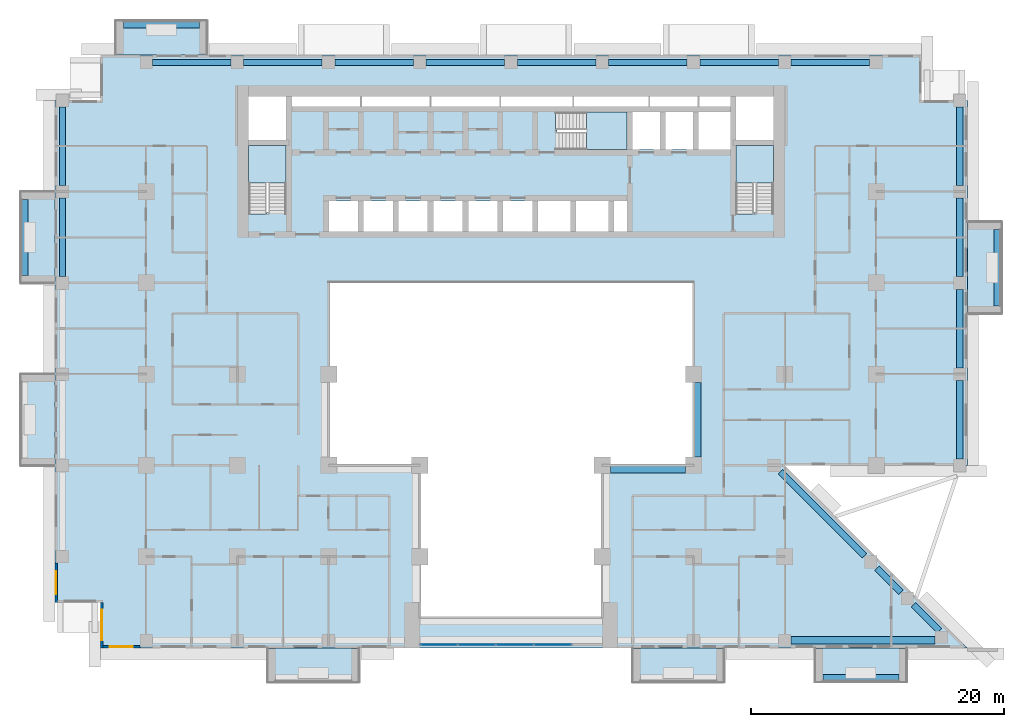
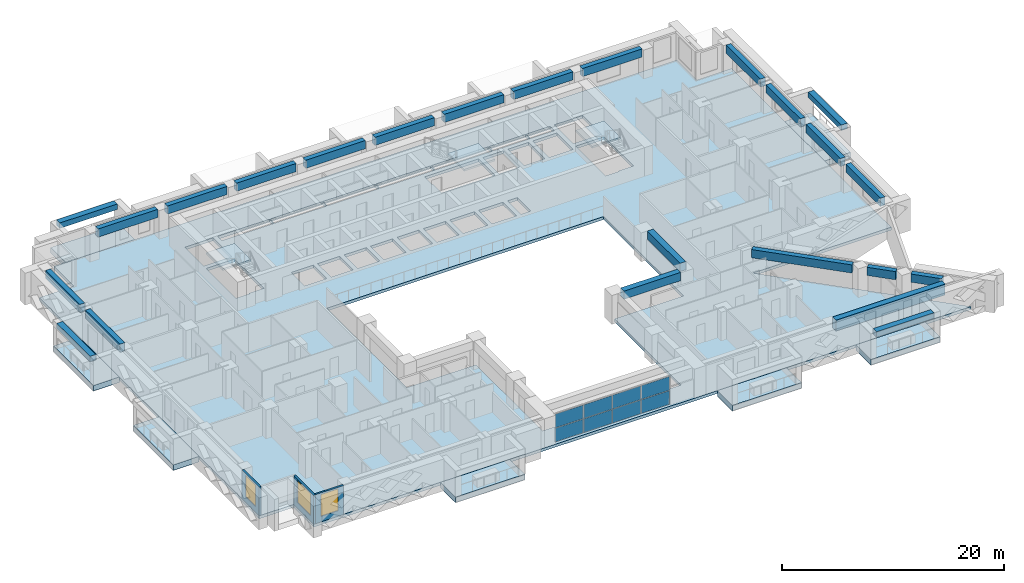
# One storey, part 5 of 17: 24 beams, 11 slabs, 8 plates, 3 walls, 3 windows, 3 openings, 4 elements without a shape of their own.
"""IFC4 building model written with IfcOpenShell, lengths in metres."""

from ifc_helpers import new_model, si_unit, direction, frame, frame_2d, origin, origin_2d, place, context, subcontext, project, spatial, polyline, rectangle, outline, extrude, source, transform, mapped, material, layer, layer_set, material_profile, profile_set, type_object, element, fill, aggregate, save


model = new_model("IFC4")

# Units and contexts
model_context = context("Model", 3, precision=1e-05, world=origin(), true_north=direction((0.0, 1.0)))
body_context = subcontext(model_context, "Body", "Model", "MODEL_VIEW")
ifc_project = project(units=[si_unit("LENGTHUNIT", "METRE"), si_unit("AREAUNIT", "SQUARE_METRE"), si_unit("VOLUMEUNIT", "CUBIC_METRE"), si_unit("PLANEANGLEUNIT", "RADIAN"), si_unit("MASSUNIT", "GRAM", prefix="KILO")], contexts=[model_context])

# Site, building, storey
site_placement = place(None, origin())
site = spatial("IfcSite", under=ifc_project, at=site_placement, CompositionType="ELEMENT")
building_placement = place(site_placement, origin())
building = spatial("IfcBuilding", under=site, at=building_placement, Name="Saffron Iwan Residences", CompositionType="ELEMENT")
storey_placement = place(building_placement, frame((0.0, 0.0, 79.5)))
storey = spatial("IfcBuildingStorey", under=building, at=storey_placement, Name="L20", CompositionType="ELEMENT", Elevation=79.5)

# Beams
ifc_material_1 = material(Name="Concrete C60/75", Category="concrete")
ifc_material_profile_1 = material_profile(ifc_material_1, rectangle(XDim=0.5, YDim=0.89990234375, at=origin_2d()), Name="RC 500x900")
ifc_profile_set_1 = profile_set([ifc_material_profile_1], Name="Concrete C60/75")
beam_type_1 = type_object("IfcBeamType", Name="SPANDREL BEAM RC 500x900 C60/75 TOP 3180", PredefinedType="SPANDREL", material=ifc_profile_set_1)
shared_shape_1 = source(origin(), body_context, "Body", "SweptSolid", [
    extrude(rectangle(XDim=0.5, YDim=0.89990234375, at=origin_2d()), origin(), (0.0, 0.0, 1.0), 6.199951171875),
])
for number, where, z_axis, x_axis, name in (
    (1, (85.800048828125, 54.699951171875, 2.72998046875), (0.0, -1.0, 0.0), (1.0, 0.0, 0.0), "Spandrel beam"),
    (2, (85.800048828125, 61.89990234375, 2.72998046875), (0.0, -1.0, 0.0), (1.0, 0.0, 0.0), "Spandrel beam"),
    (3, (15.0, 70.10009765625, 2.72998046875), (0.0, 1.0, 0.0), (-1.0, 0.0, 0.0), "Spandrel beam"),
    (4, (85.800048828125, 76.300048828125, 2.72998046875), (0.0, -1.0, 0.0), (1.0, 0.0, 0.0), "Spandrel beam"),
    (5, (22.10009765625, 79.800048828125, 2.72998046875), (1.0, 0.0, 0.0), (0.0, 1.0, 0.0), "Spandrel beam"),
    (6, (29.300048828125, 79.800048828125, 2.72998046875), (1.0, 0.0, 0.0), (0.0, 1.0, 0.0), "Spandrel beam"),
    (7, (36.5, 79.800048828125, 2.72998046875), (1.0, 0.0, 0.0), (0.0, 1.0, 0.0), "Spandrel beam"),
    (8, (43.699951171875, 79.800048828125, 2.72998046875), (1.0, 0.0, 0.0), (0.0, 1.0, 0.0), "Spandrel beam"),
    (9, (58.10009765625, 79.800048828125, 2.72998046875), (1.0, 0.0, 0.0), (0.0, 1.0, 0.0), "Spandrel beam"),
    (10, (65.300048828125, 79.800048828125, 2.72998046875), (1.0, 0.0, 0.0), (0.0, 1.0, 0.0), "Spandrel beam"),
    (11, (72.5, 79.800048828125, 2.72998046875), (1.0, 0.0, 0.0), (0.0, 1.0, 0.0), "Spandrel beam"),
):
    element("IfcBeam", number, at=place(storey_placement, frame(where, z_axis=z_axis, x_axis=x_axis)), inside=storey, type_object=beam_type_1, Name=name, PredefinedType="SPANDREL", context=body_context, shape_type="MappedRepresentation", body=[
        mapped(shared_shape_1, transform((0.0, 0.0, 0.0))),
    ])
shared_shape_2 = source(origin(), body_context, "Body", "SweptSolid", [
    extrude(rectangle(XDim=0.5, YDim=0.89990234375, at=origin_2d()), origin(), (0.0, 0.0, 1.0), 2.90478515625),
])
beam_1_placement = place(storey_placement, frame((82.15576171875, 36.995849609375, 2.72998046875), z_axis=(0.707106781187, -0.707106781187, 0.0), x_axis=(0.707106781187, 0.707106781187, 0.0)))
element("IfcBeam", 12, at=beam_1_placement, inside=storey, type_object=beam_type_1, Name="Spandrel beam", PredefinedType="SPANDREL", context=body_context, shape_type="MappedRepresentation", body=[
    mapped(shared_shape_2, transform((0.0, 0.0, 0.0))),
])
shared_shape_3 = source(origin(), body_context, "Body", "SweptSolid", [
    extrude(rectangle(XDim=0.5, YDim=0.89990234375, at=origin_2d()), origin(), (0.0, 0.0, 1.0), 2.658935546875),
])
beam_2_placement = place(storey_placement, frame((79.275634765625, 39.875732421875, 2.72998046875), z_axis=(0.707106781187, -0.707106781187, 0.0), x_axis=(0.707106781187, 0.707106781187, 0.0)))
element("IfcBeam", 13, at=beam_2_placement, inside=storey, type_object=beam_type_1, Name="Spandrel beam", PredefinedType="SPANDREL", context=body_context, shape_type="MappedRepresentation", body=[
    mapped(shared_shape_3, transform((0.0, 0.0, 0.0))),
])
shared_shape_4 = source(origin(), body_context, "Body", "SweptSolid", [
    extrude(rectangle(XDim=0.5, YDim=0.89990234375, at=origin_2d()), origin(), (0.0, 0.0, 1.0), 9.370361328125),
])
beam_3_placement = place(storey_placement, frame((71.64990234375, 47.50146484375, 2.72998046875), z_axis=(0.707119808329, -0.707093753804, 0.0), x_axis=(0.707093753804, 0.707119808329, 0.0)))
element("IfcBeam", 14, at=beam_3_placement, inside=storey, type_object=beam_type_1, Name="Spandrel beam", PredefinedType="SPANDREL", context=body_context, shape_type="MappedRepresentation", body=[
    mapped(shared_shape_4, transform((0.0, 0.0, 0.0))),
])
shared_shape_5 = source(origin(), body_context, "Body", "SweptSolid", [
    extrude(rectangle(XDim=0.5, YDim=0.89990234375, at=origin_2d()), origin(), (0.0, 0.0, 1.0), 6.2001953125),
])
for number, where, z_axis, x_axis, name in (
    (15, (15.0, 62.89990234375, 2.72998046875), (0.0, 1.0, 0.0), (-1.0, 0.0, 0.0), "Spandrel beam"),
    (16, (85.800048828125, 69.10009765625, 2.72998046875), (0.0, -1.0, 0.0), (1.0, 0.0, 0.0), "Spandrel beam"),
    (17, (50.89990234375, 79.800048828125, 2.72998046875), (1.0, 0.0, 0.0), (0.0, 1.0, 0.0), "Spandrel beam"),
):
    element("IfcBeam", number, at=place(storey_placement, frame(where, z_axis=z_axis, x_axis=x_axis)), inside=storey, type_object=beam_type_1, Name=name, PredefinedType="SPANDREL", context=body_context, shape_type="MappedRepresentation", body=[
        mapped(shared_shape_5, transform((0.0, 0.0, 0.0))),
    ])
ifc_material_profile_2 = material_profile(ifc_material_1, rectangle(XDim=0.60009765625, YDim=1.199951171875, at=origin_2d()), Name="RC 600x1200")
ifc_profile_set_2 = profile_set([ifc_material_profile_2], Name="Concrete C60/75")
beam_type_2 = type_object("IfcBeamType", Name="LINTEL BEAM RC 600x1200 C60/75 TOP 3180", PredefinedType="LINTEL", material=ifc_profile_set_2)
shared_shape_6 = source(origin(), body_context, "Body", "SweptSolid", [
    extrude(rectangle(XDim=0.60009765625, YDim=1.199951171875, at=origin_2d()), origin(), (0.0, 0.0, 1.0), 11.367431640625),
])
beam_4_placement = place(storey_placement, frame((83.867431640625, 34.199951171875, 2.580078125), z_axis=(-1.0, 0.0, 0.0), x_axis=(0.0, -1.0, 0.0)))
element("IfcBeam", 18, at=beam_4_placement, inside=storey, type_object=beam_type_2, Name="Lintel beam over the iwan", PredefinedType="LINTEL", context=body_context, shape_type="MappedRepresentation", body=[
    mapped(shared_shape_6, transform((0.0, 0.0, 0.0))),
])
ifc_material_profile_3 = material_profile(ifc_material_1, rectangle(XDim=0.60009765625, YDim=0.89990234375, at=origin_2d()), Name="RC 600x900")
ifc_profile_set_3 = profile_set([ifc_material_profile_3], Name="Concrete C60/75")
beam_type_3 = type_object("IfcBeamType", Name="BEAM RC 600x900 C60/75 TOP 3180", PredefinedType="BEAM", material=ifc_profile_set_3)
shared_shape_7 = source(origin(), body_context, "Body", "SweptSolid", [
    extrude(rectangle(XDim=0.60009765625, YDim=0.89990234375, at=origin_2d()), origin(), (0.0, 0.0, 1.0), 5.900146484375),
])
beam_5_placement = place(storey_placement, frame((65.10009765625, 54.550048828125, 2.72998046875), z_axis=(0.0, -1.0, 0.0), x_axis=(1.0, 0.0, 0.0)))
element("IfcBeam", 19, at=beam_5_placement, inside=storey, type_object=beam_type_3, Name="Atrium edge beam", PredefinedType="BEAM", context=body_context, shape_type="MappedRepresentation", body=[
    mapped(shared_shape_7, transform((0.0, 0.0, 0.0))),
])
shared_shape_8 = source(origin(), body_context, "Body", "SweptSolid", [
    extrude(rectangle(XDim=0.60009765625, YDim=0.89990234375, at=origin_2d()), origin(), (0.0, 0.0, 1.0), 5.89990234375),
])
beam_6_placement = place(storey_placement, frame((64.14990234375, 47.699951171875, 2.72998046875), z_axis=(-1.0, 0.0, 0.0), x_axis=(0.0, -1.0, 0.0)))
element("IfcBeam", 20, at=beam_6_placement, inside=storey, type_object=beam_type_3, Name="Atrium edge beam", PredefinedType="BEAM", context=body_context, shape_type="MappedRepresentation", body=[
    mapped(shared_shape_8, transform((0.0, 0.0, 0.0))),
])
ifc_material_2 = material(Name="Concrete C50/60 white painted", Category="concrete")
ifc_material_profile_4 = material_profile(ifc_material_2, rectangle(XDim=0.60009765625, YDim=0.60009765625, at=origin_2d()), Name="BALCONY FASCIA BEAM 600 x 600")
ifc_profile_set_4 = profile_set([ifc_material_profile_4], Name="Concrete C50/60 white painted")
beam_type_4 = type_object("IfcBeamType", Name="BALCONY FASCIA BEAM 600 x 600", PredefinedType="BEAM", material=ifc_profile_set_4)
shared_shape_9 = source(origin(), body_context, "Body", "SweptSolid", [
    extrude(rectangle(XDim=0.60009765625, YDim=0.60009765625, at=origin_2d()), origin(), (0.0, 0.0, 1.0), 6.0),
])
for number, where, z_axis, x_axis, name in (
    (21, (88.800048828125, 60.60009765625, 2.550048828125), (0.0, 1.0, 0.0), (-1.0, 0.0, 0.0), "Balcony fascia beam L20 F2-0"),
    (22, (25.800048828125, 82.800048828125, 2.550048828125), (-1.0, 0.0, 0.0), (0.0, -1.0, 0.0), "Balcony fascia beam L20 F5-3"),
    (23, (12.0, 69.0, 2.550048828125), (0.0, -1.0, 0.0), (1.0, 0.0, 0.0), "Balcony fascia beam L20 F8-0"),
    (24, (75.0, 31.199951171875, 2.550048828125), (1.0, 0.0, 0.0), (0.0, 1.0, 0.0), "Balcony fascia beam L20 11-2"),
):
    element("IfcBeam", number, at=place(storey_placement, frame(where, z_axis=z_axis, x_axis=x_axis)), inside=storey, type_object=beam_type_4, Name=name, PredefinedType="BEAM", context=body_context, shape_type="MappedRepresentation", body=[
        mapped(shared_shape_9, transform((0.0, 0.0, 0.0))),
    ])

# Slabs
ifc_layer_1 = layer(ifc_material_2, 0.60009765625)
ifc_layer_set_1 = layer_set([ifc_layer_1], Name="Concrete C50/60 white painted")
slab_type_1 = type_object("IfcSlabType", Name="BALCONY FRAME SLAB 600", PredefinedType="FLOOR", material=ifc_layer_set_1)
slab_1_placement = place(storey_placement, frame((0.0, 0.0, -0.60009765625)))
element("IfcSlab", 25, at=slab_1_placement, inside=storey, type_object=slab_type_1, Name="Balcony frame slab L20 F2-0", PredefinedType="FLOOR", context=body_context, shape_type="SweptSolid", body=[
    extrude(outline(polyline([(89.10009765625, 60.0), (89.10009765625, 67.199951171875), (86.39990234375, 67.199951171875), (86.39990234375, 60.0), (89.10009765625, 60.0)])), origin(), (0.0, 0.0, 1.0), 0.60009765625),
])
slab_2_placement = place(storey_placement, frame((0.0, 0.0, -0.60009765625)))
element("IfcSlab", 26, at=slab_2_placement, inside=storey, type_object=slab_type_1, Name="Balcony frame slab L20 F5-3", PredefinedType="FLOOR", context=body_context, shape_type="SweptSolid", body=[
    extrude(outline(polyline([(26.39990234375, 83.10009765625), (19.199951171875, 83.10009765625), (19.199951171875, 80.39990234375), (26.39990234375, 80.39990234375), (26.39990234375, 83.10009765625)])), origin(), (0.0, 0.0, 1.0), 0.60009765625),
])
slab_3_placement = place(storey_placement, frame((0.0, 0.0, -0.60009765625)))
element("IfcSlab", 27, at=slab_3_placement, inside=storey, type_object=slab_type_1, Name="Balcony frame slab L20 F8-0", PredefinedType="FLOOR", context=body_context, shape_type="SweptSolid", body=[
    extrude(outline(polyline([(11.699951171875, 69.60009765625), (11.699951171875, 62.39990234375), (14.39990234375, 62.39990234375), (14.39990234375, 69.60009765625), (11.699951171875, 69.60009765625)])), origin(), (0.0, 0.0, 1.0), 0.60009765625),
])
slab_4_placement = place(storey_placement, frame((0.0, 0.0, -0.60009765625)))
element("IfcSlab", 28, at=slab_4_placement, inside=storey, type_object=slab_type_1, Name="Balcony frame slab L20 F8-1", PredefinedType="FLOOR", context=body_context, shape_type="SweptSolid", body=[
    extrude(outline(polyline([(11.699951171875, 55.199951171875), (11.699951171875, 48.0), (14.39990234375, 48.0), (14.39990234375, 55.199951171875), (11.699951171875, 55.199951171875)])), origin(), (0.0, 0.0, 1.0), 0.60009765625),
])
slab_5_placement = place(storey_placement, frame((0.0, 0.0, -0.60009765625)))
element("IfcSlab", 29, at=slab_5_placement, inside=storey, type_object=slab_type_1, Name="Balcony frame slab L20 11-0", PredefinedType="FLOOR", context=body_context, shape_type="SweptSolid", body=[
    extrude(outline(polyline([(31.199951171875, 30.89990234375), (38.39990234375, 30.89990234375), (38.39990234375, 33.60009765625), (31.199951171875, 33.60009765625), (31.199951171875, 30.89990234375)])), origin(), (0.0, 0.0, 1.0), 0.60009765625),
])
slab_6_placement = place(storey_placement, frame((0.0, 0.0, -0.60009765625)))
element("IfcSlab", 30, at=slab_6_placement, inside=storey, type_object=slab_type_1, Name="Balcony frame slab L20 11-1", PredefinedType="FLOOR", context=body_context, shape_type="SweptSolid", body=[
    extrude(outline(polyline([(60.0, 30.89990234375), (67.199951171875, 30.89990234375), (67.199951171875, 33.60009765625), (60.0, 33.60009765625), (60.0, 30.89990234375)])), origin(), (0.0, 0.0, 1.0), 0.60009765625),
])
slab_7_placement = place(storey_placement, frame((0.0, 0.0, -0.60009765625)))
element("IfcSlab", 31, at=slab_7_placement, inside=storey, type_object=slab_type_1, Name="Balcony frame slab L20 11-2", PredefinedType="FLOOR", context=body_context, shape_type="SweptSolid", body=[
    extrude(outline(polyline([(74.39990234375, 30.89990234375), (81.60009765625, 30.89990234375), (81.60009765625, 33.60009765625), (74.39990234375, 33.60009765625), (74.39990234375, 30.89990234375)])), origin(), (0.0, 0.0, 1.0), 0.60009765625),
])
ifc_material_3 = material(Name="Concrete C40/50", Category="concrete")
ifc_layer_2 = layer(ifc_material_3, 0.320068359375)
ifc_layer_set_2 = layer_set([ifc_layer_2], Name="Concrete C40/50")
slab_type_2 = type_object("IfcSlabType", Name="PT PLATE 320 C40/50", PredefinedType="FLOOR", material=ifc_layer_set_2)
slab_8_placement = place(storey_placement, frame((0.0, 0.0, -0.320068359375)))
element("IfcSlab", 32, at=slab_8_placement, inside=storey, type_object=slab_type_2, Name="Floor slab L20", PredefinedType="FLOOR", context=body_context, shape_type="SweptSolid", body=[
    extrude(outline(polyline([(14.39990234375, 37.199951171875), (14.39990234375, 76.800048828125), (18.0, 76.800048828125), (18.0, 80.39990234375), (82.800048828125, 80.39990234375), (82.800048828125, 76.800048828125), (86.39990234375, 76.800048828125), (86.39990234375, 48.0), (72.0, 48.0), (86.39990234375, 33.60009765625), (18.0, 33.60009765625), (18.0, 37.199951171875), (14.39990234375, 37.199951171875)]), holes=[polyline([(64.800048828125, 48.0), (64.800048828125, 62.39990234375), (36.0, 62.39990234375), (36.0, 48.0), (43.199951171875, 48.0), (43.199951171875, 36.0), (57.60009765625, 36.0), (57.60009765625, 48.0), (64.800048828125, 48.0)]), polyline([(38.324951171875, 68.875), (36.02490234375, 68.875), (36.02490234375, 66.449951171875), (38.324951171875, 66.449951171875), (38.324951171875, 68.875)]), polyline([(41.074951171875, 66.449951171875), (41.074951171875, 68.875), (38.77490234375, 68.875), (38.77490234375, 66.449951171875), (41.074951171875, 66.449951171875)]), polyline([(43.824951171875, 66.449951171875), (43.824951171875, 68.875), (41.52490234375, 68.875), (41.52490234375, 66.449951171875), (43.824951171875, 66.449951171875)]), polyline([(46.574951171875, 68.875), (44.27490234375, 68.875), (44.27490234375, 66.449951171875), (46.574951171875, 66.449951171875), (46.574951171875, 68.875)]), polyline([(49.324951171875, 66.449951171875), (49.324951171875, 68.875), (47.02490234375, 68.875), (47.02490234375, 66.449951171875), (49.324951171875, 66.449951171875)]), polyline([(52.074951171875, 66.449951171875), (52.074951171875, 68.875), (49.77490234375, 68.875), (49.77490234375, 66.449951171875), (52.074951171875, 66.449951171875)]), polyline([(29.699951171875, 73.25), (29.699951171875, 67.949951171875), (29.699951171875, 67.8505859375), (31.10009765625, 67.8505859375), (31.10009765625, 67.949951171875), (32.64990234375, 67.949951171875), (32.64990234375, 73.25), (29.699951171875, 73.25)]), polyline([(32.64990234375, 73.699951171875), (32.64990234375, 77.10009765625), (29.699951171875, 77.10009765625), (29.699951171875, 73.699951171875), (32.64990234375, 73.699951171875)]), polyline([(38.5, 76.324951171875), (38.5, 77.10009765625), (33.10009765625, 77.10009765625), (33.10009765625, 76.324951171875), (38.5, 76.324951171875)]), polyline([(44.0, 77.10009765625), (38.60009765625, 77.10009765625), (38.60009765625, 76.324951171875), (44.0, 76.324951171875), (44.0, 77.10009765625)]), polyline([(49.5, 76.324951171875), (49.5, 77.10009765625), (44.10009765625, 77.10009765625), (44.10009765625, 76.324951171875), (49.5, 76.324951171875)]), polyline([(55.25, 76.324951171875), (55.25, 77.10009765625), (49.60009765625, 77.10009765625), (49.60009765625, 76.324951171875), (55.25, 76.324951171875)]), polyline([(55.074951171875, 68.875), (52.52490234375, 68.875), (52.52490234375, 66.449951171875), (55.074951171875, 66.449951171875), (55.074951171875, 68.875)]), polyline([(58.074951171875, 66.449951171875), (58.074951171875, 68.875), (55.52490234375, 68.875), (55.52490234375, 66.449951171875), (58.074951171875, 66.449951171875)]), polyline([(59.550048828125, 66.449951171875), (59.550048828125, 68.875), (58.52490234375, 68.875), (58.52490234375, 66.449951171875), (59.550048828125, 66.449951171875)]), polyline([(68.14990234375, 73.25), (68.14990234375, 67.949951171875), (68.14990234375, 67.8505859375), (69.550048828125, 67.8505859375), (69.550048828125, 67.949951171875), (71.10009765625, 67.949951171875), (71.10009765625, 73.25), (68.14990234375, 73.25)]), polyline([(53.925537109375, 74.47509765625), (54.02490234375, 74.47509765625), (54.02490234375, 72.925048828125), (59.550048828125, 72.925048828125), (59.550048828125, 75.875), (54.02490234375, 75.875), (53.925537109375, 75.875), (53.925537109375, 74.47509765625)]), polyline([(62.14990234375, 72.925048828125), (62.14990234375, 75.875), (60.0, 75.875), (60.0, 72.925048828125), (62.14990234375, 72.925048828125)]), polyline([(64.75, 75.875), (62.60009765625, 75.875), (62.60009765625, 72.925048828125), (64.75, 72.925048828125), (64.75, 75.875)]), polyline([(67.699951171875, 72.925048828125), (67.699951171875, 75.875), (65.199951171875, 75.875), (65.199951171875, 72.925048828125), (67.699951171875, 72.925048828125)]), polyline([(71.10009765625, 73.699951171875), (71.10009765625, 77.10009765625), (68.14990234375, 77.10009765625), (68.14990234375, 73.699951171875), (71.10009765625, 73.699951171875)]), polyline([(61.25, 77.10009765625), (55.35009765625, 77.10009765625), (55.35009765625, 76.324951171875), (61.25, 76.324951171875), (61.25, 77.10009765625)]), polyline([(65.14990234375, 76.324951171875), (65.14990234375, 77.10009765625), (61.35009765625, 77.10009765625), (61.35009765625, 76.324951171875), (65.14990234375, 76.324951171875)]), polyline([(67.699951171875, 76.324951171875), (67.699951171875, 77.10009765625), (65.25, 77.10009765625), (65.25, 76.324951171875), (67.699951171875, 76.324951171875)])]), origin(), (0.0, 0.0, 1.0), 0.320068359375),
])

# Stair, slab
ifc_material_4 = material(Name="Concrete C50/60", Category="concrete")
stair_type = type_object("IfcStairType", Name="Stair ST-CORE", PredefinedType="HALF_TURN_STAIR", material=ifc_material_4)
stair_1_placement = place(storey_placement, origin())
stair_1 = element("IfcStair", 33, at=stair_1_placement, inside=storey, type_object=stair_type, Name="L20 Exit Stair ST-W", PredefinedType="HALF_TURN_STAIR")
ifc_layer_3 = layer(ifc_material_4, 0.199951171875)
ifc_layer_set_3 = layer_set([ifc_layer_3], Name="Concrete C50/60")
slab_type_3 = type_object("IfcSlabType", Name="Stair landing SL-RC", PredefinedType="LANDING", material=ifc_layer_set_3)
slab_9_placement = place(storey_placement, frame((0.0, 0.0, 1.5498046875)))
slab_9 = element("IfcSlab", 34, at=slab_9_placement, type_object=slab_type_3, Name="ST-W landing 1", PredefinedType="LANDING", context=body_context, shape_type="SweptSolid", body=[
    extrude(outline(polyline([(32.64990234375, 70.280029296875), (32.64990234375, 73.25), (29.699951171875, 73.25), (29.699951171875, 70.280029296875), (32.64990234375, 70.280029296875)])), origin(), (0.0, 0.0, 1.0), 0.2001953125),
])
aggregate(stair_1, [slab_9])

stair_2_placement = place(storey_placement, origin())
stair_2 = element("IfcStair", 35, at=stair_2_placement, inside=storey, type_object=stair_type, Name="L20 Exit Stair ST-C", PredefinedType="HALF_TURN_STAIR")
slab_10_placement = place(storey_placement, frame((0.0, 0.0, 1.5498046875)))
slab_10 = element("IfcSlab", 36, at=slab_10_placement, type_object=slab_type_3, Name="ST-C landing 1", PredefinedType="LANDING", context=body_context, shape_type="SweptSolid", body=[
    extrude(outline(polyline([(56.35498046875, 72.925048828125), (59.550048828125, 72.925048828125), (59.550048828125, 75.875), (56.35498046875, 75.875), (56.35498046875, 72.925048828125)])), origin(), (0.0, 0.0, 1.0), 0.2001953125),
])
aggregate(stair_2, [slab_10])

stair_3_placement = place(storey_placement, origin())
stair_3 = element("IfcStair", 37, at=stair_3_placement, inside=storey, type_object=stair_type, Name="L20 Exit Stair ST-E", PredefinedType="HALF_TURN_STAIR")
slab_11_placement = place(storey_placement, frame((0.0, 0.0, 1.5498046875)))
slab_11 = element("IfcSlab", 38, at=slab_11_placement, type_object=slab_type_3, Name="ST-E landing 1", PredefinedType="LANDING", context=body_context, shape_type="SweptSolid", body=[
    extrude(outline(polyline([(71.10009765625, 70.280029296875), (71.10009765625, 73.25), (68.14990234375, 73.25), (68.14990234375, 70.280029296875), (71.10009765625, 70.280029296875)])), origin(), (0.0, 0.0, 1.0), 0.2001953125),
])
aggregate(stair_3, [slab_11])

# Curtain wall, plates
ifc_material_5 = material(Name="Clear glass, laminated double glazed", Category="glass")
ifc_layer_4 = layer(ifc_material_5, 0.199951171875)
ifc_layer_set_4 = layer_set([ifc_layer_4], Name="Clear glass, laminated double glazed")
curtain_wall_type = type_object("IfcCurtainWallType", Name="CW-B IWAN PORTAL", PredefinedType="NOTDEFINED", material=ifc_layer_set_4)
curtain_wall_placement = place(storey_placement, origin())
curtain_wall = element("IfcCurtainWall", 39, at=curtain_wall_placement, inside=storey, type_object=curtain_wall_type, Name="Iwan portal glazing L20.1", PredefinedType="NOTDEFINED")
ifc_layer_5 = layer(ifc_material_5, 0.028076171875)
ifc_layer_set_5 = layer_set([ifc_layer_5], Name="Clear glass, laminated double glazed")
plate_type = type_object("IfcPlateType", Name="CW-B PANEL 28", PredefinedType="CURTAIN_PANEL", material=ifc_layer_set_5)
shared_shape_10 = source(origin(), body_context, "Body", "SweptSolid", [
    extrude(rectangle(XDim=2.909912109375, YDim=0.028076171875, at=origin_2d()), origin(), (0.0, 0.0, 1.0), 1.5),
])
plate_1_placement = place(storey_placement, frame((44.715087890625, 33.85009765625, 0.06005859375), z_axis=(0.0, 0.0, 1.0), x_axis=(1.0, 0.0, 0.0)))
plate_1 = element("IfcPlate", 40, at=plate_1_placement, type_object=plate_type, Name="CW-B panel 1.1", PredefinedType="CURTAIN_PANEL", context=body_context, shape_type="MappedRepresentation", body=[
    mapped(shared_shape_10, transform((0.0, 0.0, 0.0))),
])
plate_2_placement = place(storey_placement, frame((44.715087890625, 33.85009765625, 1.6201171875), z_axis=(0.0, 0.0, 1.0), x_axis=(1.0, 0.0, 0.0)))
plate_2 = element("IfcPlate", 41, at=plate_2_placement, type_object=plate_type, Name="CW-B panel 1.2", PredefinedType="CURTAIN_PANEL", context=body_context, shape_type="MappedRepresentation", body=[
    mapped(shared_shape_10, transform((0.0, 0.0, 0.0))),
])
plate_3_placement = place(storey_placement, frame((53.68505859375, 33.85009765625, 0.06005859375), z_axis=(0.0, 0.0, 1.0), x_axis=(1.0, 0.0, 0.0)))
plate_3 = element("IfcPlate", 42, at=plate_3_placement, type_object=plate_type, Name="CW-B panel 4.1", PredefinedType="CURTAIN_PANEL", context=body_context, shape_type="MappedRepresentation", body=[
    mapped(shared_shape_10, transform((0.0, 0.0, 0.0))),
])
plate_4_placement = place(storey_placement, frame((53.68505859375, 33.85009765625, 1.6201171875), z_axis=(0.0, 0.0, 1.0), x_axis=(1.0, 0.0, 0.0)))
plate_4 = element("IfcPlate", 43, at=plate_4_placement, type_object=plate_type, Name="CW-B panel 4.2", PredefinedType="CURTAIN_PANEL", context=body_context, shape_type="MappedRepresentation", body=[
    mapped(shared_shape_10, transform((0.0, 0.0, 0.0))),
])
shared_shape_11 = source(origin(), body_context, "Body", "SweptSolid", [
    extrude(rectangle(XDim=2.93994140625, YDim=0.028076171875, at=origin_2d()), origin(), (0.0, 0.0, 1.0), 1.5),
])
plate_5_placement = place(storey_placement, frame((47.699951171875, 33.85009765625, 0.06005859375), z_axis=(0.0, 0.0, 1.0), x_axis=(1.0, 0.0, 0.0)))
plate_5 = element("IfcPlate", 44, at=plate_5_placement, type_object=plate_type, Name="CW-B panel 2.1", PredefinedType="CURTAIN_PANEL", context=body_context, shape_type="MappedRepresentation", body=[
    mapped(shared_shape_11, transform((0.0, 0.0, 0.0))),
])
plate_6_placement = place(storey_placement, frame((47.699951171875, 33.85009765625, 1.6201171875), z_axis=(0.0, 0.0, 1.0), x_axis=(1.0, 0.0, 0.0)))
plate_6 = element("IfcPlate", 45, at=plate_6_placement, type_object=plate_type, Name="CW-B panel 2.2", PredefinedType="CURTAIN_PANEL", context=body_context, shape_type="MappedRepresentation", body=[
    mapped(shared_shape_11, transform((0.0, 0.0, 0.0))),
])
plate_7_placement = place(storey_placement, frame((50.699951171875, 33.85009765625, 0.06005859375), z_axis=(0.0, 0.0, 1.0), x_axis=(1.0, 0.0, 0.0)))
plate_7 = element("IfcPlate", 46, at=plate_7_placement, type_object=plate_type, Name="CW-B panel 3.1", PredefinedType="CURTAIN_PANEL", context=body_context, shape_type="MappedRepresentation", body=[
    mapped(shared_shape_11, transform((0.0, 0.0, 0.0))),
])
plate_8_placement = place(storey_placement, frame((50.699951171875, 33.85009765625, 1.6201171875), z_axis=(0.0, 0.0, 1.0), x_axis=(1.0, 0.0, 0.0)))
plate_8 = element("IfcPlate", 47, at=plate_8_placement, type_object=plate_type, Name="CW-B panel 3.2", PredefinedType="CURTAIN_PANEL", context=body_context, shape_type="MappedRepresentation", body=[
    mapped(shared_shape_11, transform((0.0, 0.0, 0.0))),
])
aggregate(curtain_wall, [plate_1, plate_2, plate_5, plate_6, plate_7, plate_8, plate_3, plate_4])

# Wall, opening, window
ifc_layer_6 = layer(ifc_material_3, 0.199951171875)
ifc_layer_set_6 = layer_set([ifc_layer_6], Name="Concrete C40/50")
wall_type = type_object("IfcWallType", Name="EXTERNAL WALL 200", PredefinedType="SOLIDWALL", material=ifc_layer_set_6)
wall_1_placement = place(storey_placement, frame((14.5, 40.300048828125, 0.0), z_axis=(0.0, 0.0, 1.0), x_axis=(0.0, -1.0, 0.0)))
wall_1 = element("IfcWall", 48, at=wall_1_placement, inside=storey, type_object=wall_type, Name="External wall L20 F8.5", PredefinedType="SOLIDWALL", context=body_context, shape_type="SweptSolid", body=[
    extrude(rectangle(XDim=3.10009765625, YDim=0.199951171875, at=frame_2d((1.550048828125, 0.0))), origin(), (0.0, 0.0, 1.0), 3.179931640625),
])
opening_1_placement = place(wall_1_placement, frame((0.64990234375, 0.0, 0.60009765625)))
opening_1 = element("IfcOpeningElement", 49, at=opening_1_placement, cuts=wall_1, Name="Opening W8", PredefinedType="OPENING", context=body_context, shape_type="SweptSolid", body=[
    extrude(rectangle(XDim=1.800048828125, YDim=2.39990234375, at=frame_2d((0.89990234375, 1.199951171875))), frame((0.0, 0.10986328125, 0.0), z_axis=(0.0, -1.0, 0.0), x_axis=(1.0, 0.0, 0.0)), (0.0, 0.0, 1.0), 0.219970703125),
])
window_type_1 = type_object("IfcWindowType", Name="WINDOW 1800 x 2400", PartitioningType="DOUBLE_PANEL_VERTICAL", PredefinedType="WINDOW", material=ifc_material_5)
window_1_placement = place(opening_1_placement, origin())
window_1 = element("IfcWindow", 50, at=window_1_placement, inside=storey, type_object=window_type_1, Name="Window L20 F8.0", OverallHeight=2.39990234375, OverallWidth=1.800048828125, PartitioningType="DOUBLE_PANEL_VERTICAL", PredefinedType="WINDOW", context=body_context, shape_type="SweptSolid", body=[
    extrude(rectangle(XDim=1.800048828125, YDim=2.39990234375, at=frame_2d((0.89990234375, 1.199951171875))), frame((0.0, 0.030029296875, 0.0), z_axis=(0.0, -1.0, 0.0), x_axis=(1.0, 0.0, 0.0)), (0.0, 0.0, 1.0), 0.06005859375),
])
fill(opening_1, window_1)

wall_2_placement = place(storey_placement, frame((18.10009765625, 37.199951171875, 0.0), z_axis=(0.0, 0.0, 1.0), x_axis=(0.0, -1.0, 0.0)))
wall_2 = element("IfcWall", 51, at=wall_2_placement, inside=storey, type_object=wall_type, Name="External wall L20 F10.0", PredefinedType="SOLIDWALL", context=body_context, shape_type="SweptSolid", body=[
    extrude(rectangle(XDim=3.599853515625, YDim=0.199951171875, at=frame_2d((1.7998046875, 0.0))), origin(), (0.0, 0.0, 1.0), 3.179931640625),
])
opening_2_placement = place(wall_2_placement, frame((0.60009765625, 0.0, 0.60009765625)))
opening_2 = element("IfcOpeningElement", 52, at=opening_2_placement, cuts=wall_2, Name="Opening W1", PredefinedType="OPENING", context=body_context, shape_type="SweptSolid", body=[
    extrude(rectangle(XDim=2.39990234375, YDim=2.39990234375, at=frame_2d((1.199951171875, 1.199951171875))), frame((0.0, 0.10986328125, 0.0), z_axis=(0.0, -1.0, 0.0), x_axis=(1.0, 0.0, 0.0)), (0.0, 0.0, 1.0), 0.219970703125),
])
window_type_2 = type_object("IfcWindowType", Name="WINDOW 2400 x 2400", PartitioningType="DOUBLE_PANEL_VERTICAL", PredefinedType="WINDOW", material=ifc_material_5)
window_2_placement = place(opening_2_placement, origin())
window_2 = element("IfcWindow", 53, at=window_2_placement, inside=storey, type_object=window_type_2, Name="Window L20 F10.0", OverallHeight=2.39990234375, OverallWidth=2.39990234375, PartitioningType="DOUBLE_PANEL_VERTICAL", PredefinedType="WINDOW", context=body_context, shape_type="SweptSolid", body=[
    extrude(rectangle(XDim=2.39990234375, YDim=2.39990234375, at=frame_2d((1.199951171875, 1.199951171875))), frame((0.0, 0.030029296875, 0.0), z_axis=(0.0, -1.0, 0.0), x_axis=(1.0, 0.0, 0.0)), (0.0, 0.0, 1.0), 0.06005859375),
])
fill(opening_2, window_2)

wall_3_placement = place(storey_placement, frame((18.199951171875, 33.699951171875, 0.0), z_axis=(0.0, 0.0, 1.0), x_axis=(1.0, 0.0, 0.0)))
wall_3 = element("IfcWall", 54, at=wall_3_placement, inside=storey, type_object=wall_type, Name="External wall L20 F11.0", PredefinedType="SOLIDWALL", context=body_context, shape_type="SweptSolid", body=[
    extrude(rectangle(XDim=2.900146484375, YDim=0.199951171875, at=frame_2d((1.4501953125, 0.0))), origin(), (0.0, 0.0, 1.0), 3.179931640625),
])
opening_3_placement = place(wall_3_placement, frame((0.550048828125, 0.0, 0.60009765625)))
opening_3 = element("IfcOpeningElement", 55, at=opening_3_placement, cuts=wall_3, Name="Opening W8", PredefinedType="OPENING", context=body_context, shape_type="SweptSolid", body=[
    extrude(rectangle(XDim=1.800048828125, YDim=2.39990234375, at=frame_2d((0.89990234375, 1.199951171875))), frame((0.0, 0.10986328125, 0.0), z_axis=(0.0, -1.0, 0.0), x_axis=(1.0, 0.0, 0.0)), (0.0, 0.0, 1.0), 0.219970703125),
])
window_3_placement = place(opening_3_placement, origin())
window_3 = element("IfcWindow", 56, at=window_3_placement, inside=storey, type_object=window_type_1, Name="Window L20 F11.0", OverallHeight=2.39990234375, OverallWidth=1.800048828125, PartitioningType="DOUBLE_PANEL_VERTICAL", PredefinedType="WINDOW", context=body_context, shape_type="SweptSolid", body=[
    extrude(rectangle(XDim=1.800048828125, YDim=2.39990234375, at=frame_2d((0.89990234375, 1.199951171875))), frame((0.0, 0.030029296875, 0.0), z_axis=(0.0, -1.0, 0.0), x_axis=(1.0, 0.0, 0.0)), (0.0, 0.0, 1.0), 0.06005859375),
])
fill(opening_3, window_3)

save(model, "model.ifc")
